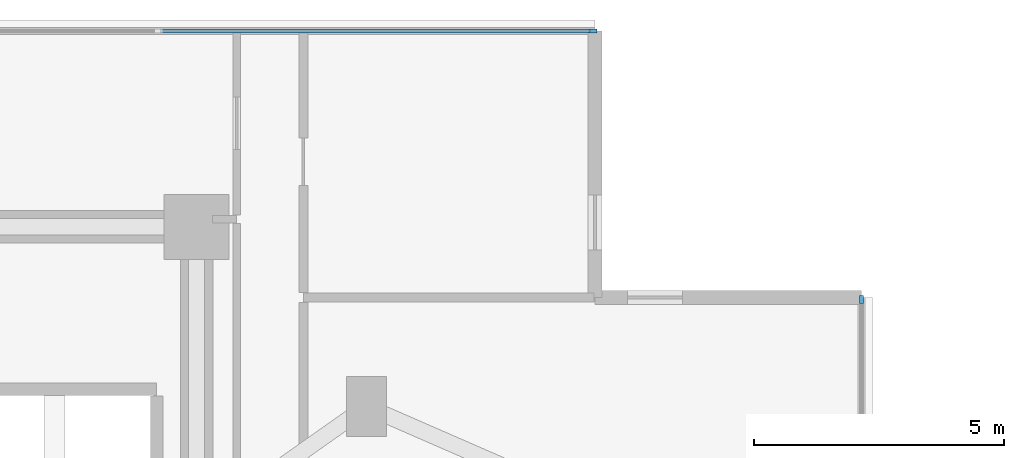
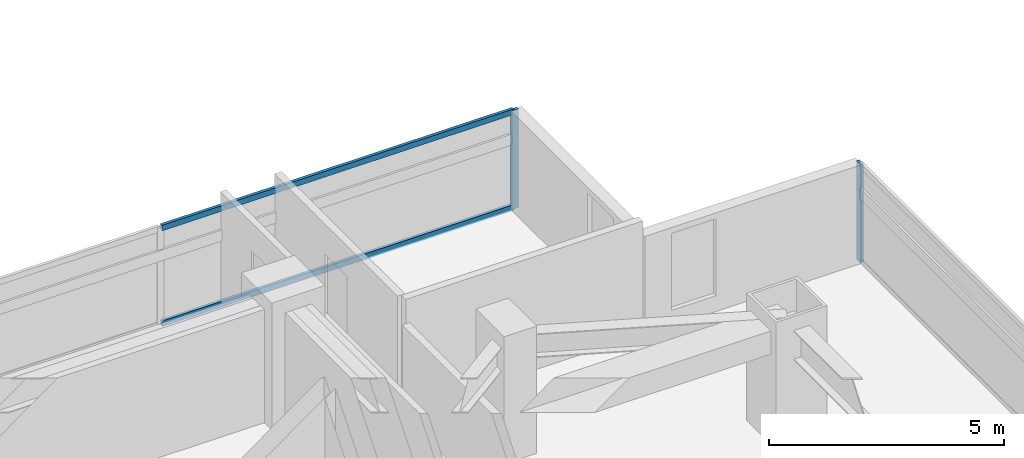
# One storey, part 8 of 26: 4 members, 2 elements without a shape of their own.
"""IFC4 building model written with IfcOpenShell, lengths in metres."""

from ifc_helpers import new_model, si_unit, direction, frame, origin, origin_2d, place, context, subcontext, project, spatial, rectangle, extrude, material, material_profile, profile_set, type_object, element, aggregate, save


model = new_model("IFC4")

# Units and contexts
model_context = context("Model", 3, precision=1e-05, world=origin(), true_north=direction((0.0, 1.0)))
body_context = subcontext(model_context, "Body", "Model", "MODEL_VIEW")
ifc_project = project(units=[si_unit("LENGTHUNIT", "METRE"), si_unit("AREAUNIT", "SQUARE_METRE"), si_unit("VOLUMEUNIT", "CUBIC_METRE"), si_unit("PLANEANGLEUNIT", "RADIAN"), si_unit("MASSUNIT", "GRAM", prefix="KILO")], contexts=[model_context])

# Site, building, storey
site_placement = place(None, origin())
site = spatial("IfcSite", under=ifc_project, at=site_placement, CompositionType="ELEMENT")
building_placement = place(site_placement, origin())
building = spatial("IfcBuilding", under=site, at=building_placement, Name="Mirazonda Arch Towers", CompositionType="ELEMENT")
storey_placement = place(building_placement, frame((0.0, 0.0, 78.5)))
storey = spatial("IfcBuildingStorey", under=building, at=storey_placement, Name="L22", CompositionType="ELEMENT", Elevation=78.5)

# Curtain wall, member
ifc_material_1 = material(Name="Anodised Aluminium and Low-E Glass", Category="aluminium")
curtain_wall_type = type_object("IfcCurtainWallType", Name="CW-HTL-UNIT", PredefinedType="NOTDEFINED", material=ifc_material_1)
curtain_wall_1_placement = place(storey_placement, origin())
curtain_wall_1 = element("IfcCurtainWall", 1, at=curtain_wall_1_placement, inside=storey, type_object=curtain_wall_type, Name="L22 T1 E Facade CW-L22-T1-E", PredefinedType="NOTDEFINED")
ifc_material_2 = material(Name="Anodised Aluminium Alloy", Category="aluminium")
ifc_material_profile_1 = material_profile(ifc_material_2, rectangle(XDim=0.074951171875, YDim=0.1650390625, at=origin_2d()), Name="ALU-MULL-75x165")
ifc_profile_set_1 = profile_set([ifc_material_profile_1], Name="Anodised Aluminium Alloy")
member_type_1 = type_object("IfcMemberType", Name="MULL-CW-HTL-UNIT", PredefinedType="MULLION", material=ifc_profile_set_1)
member_1_placement = place(storey_placement, frame((43.320068359375, 42.146484375, 0.0), z_axis=(0.0, 0.0, 1.0), x_axis=(-1.0, 0.0, 0.0)))
member_1 = element("IfcMember", 2, at=member_1_placement, type_object=member_type_1, Name="CW-112 mullion 4", PredefinedType="MULLION", context=body_context, shape_type="SweptSolid", body=[
    extrude(rectangle(XDim=0.074951171875, YDim=0.1650390625, at=origin_2d()), origin(), (0.0, 0.0, 1.0), 2.56005859375),
])
aggregate(curtain_wall_1, [member_1])

# Curtain wall, members
curtain_wall_2_placement = place(storey_placement, origin())
curtain_wall_2 = element("IfcCurtainWall", 3, at=curtain_wall_2_placement, inside=storey, type_object=curtain_wall_type, Name="L22 T1 N Facade CW-L22-T1-N", PredefinedType="NOTDEFINED")
member_2_placement = place(storey_placement, frame((37.9423828125, 47.52392578125, 0.0), z_axis=(0.0, 0.0, 1.0), x_axis=(0.0, 1.0, 0.0)))
member_2 = element("IfcMember", 4, at=member_2_placement, type_object=member_type_1, Name="CW-112 mullion 5", PredefinedType="MULLION", context=body_context, shape_type="SweptSolid", body=[
    extrude(rectangle(XDim=0.074951171875, YDim=0.1650390625, at=origin_2d()), origin(), (0.0, 0.0, 1.0), 2.56005859375),
])
ifc_material_profile_2 = material_profile(ifc_material_2, rectangle(XDim=0.074951171875, YDim=0.14501953125, at=origin_2d()), Name="ALU-TRAN-75x145")
ifc_profile_set_2 = profile_set([ifc_material_profile_2], Name="Anodised Aluminium Alloy")
member_type_2 = type_object("IfcMemberType", Name="TRAN-CW-HTL-UNIT", PredefinedType="USERDEFINED", material=ifc_profile_set_2)
member_3_placement = place(storey_placement, frame((29.277587890625, 47.52392578125, 0.03759765625), z_axis=(1.0, 0.0, 0.0), x_axis=(0.0, 1.0, 0.0)))
member_3 = element("IfcMember", 5, at=member_3_placement, type_object=member_type_2, Name="CW-112 transom 4.1", ObjectType="TRANSOM", PredefinedType="USERDEFINED", context=body_context, shape_type="SweptSolid", body=[
    extrude(rectangle(XDim=0.074951171875, YDim=0.14501953125, at=origin_2d()), origin(), (0.0, 0.0, 1.0), 8.62744140625),
])
member_4_placement = place(storey_placement, frame((29.277587890625, 47.52392578125, 2.5224609375), z_axis=(1.0, 0.0, 0.0), x_axis=(0.0, 1.0, 0.0)))
member_4 = element("IfcMember", 6, at=member_4_placement, type_object=member_type_2, Name="CW-112 transom 4.2", ObjectType="TRANSOM", PredefinedType="USERDEFINED", context=body_context, shape_type="SweptSolid", body=[
    extrude(rectangle(XDim=0.074951171875, YDim=0.14501953125, at=origin_2d()), origin(), (0.0, 0.0, 1.0), 8.62744140625),
])
aggregate(curtain_wall_2, [member_2, member_3, member_4])

save(model, "model.ifc")
